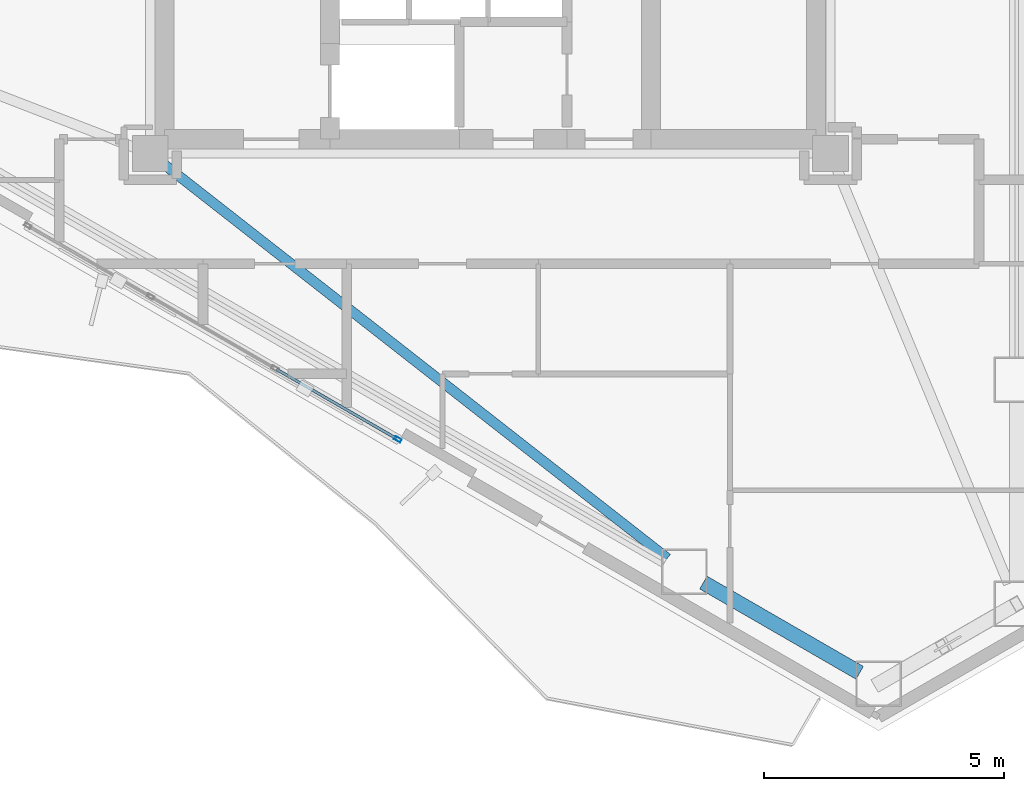
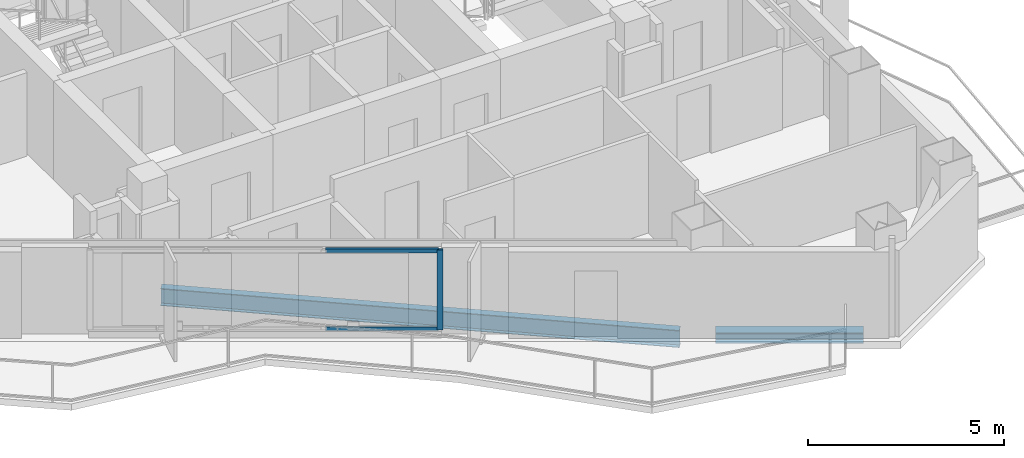
# One storey, part 4 of 21: 3 members, 2 beams, 1 element without a shape of its own.
"""IFC4 building model written with IfcOpenShell, lengths in metres."""

from ifc_helpers import new_model, si_unit, direction, frame, origin, origin_2d, place, context, subcontext, project, spatial, hollow_rectangle, i_section, extrude, material, layer, layer_set, material_profile, profile_set, type_object, element, aggregate, save


model = new_model("IFC4")

# Units and contexts
model_context = context("Model", 3, precision=1e-05, world=origin(), true_north=direction((0.0, 1.0)))
body_context = subcontext(model_context, "Body", "Model", "MODEL_VIEW")
ifc_project = project(units=[si_unit("LENGTHUNIT", "METRE"), si_unit("AREAUNIT", "SQUARE_METRE"), si_unit("VOLUMEUNIT", "CUBIC_METRE"), si_unit("PLANEANGLEUNIT", "RADIAN"), si_unit("MASSUNIT", "GRAM", prefix="KILO")], contexts=[model_context])

# Site, building, storey
site_placement = place(None, origin())
site = spatial("IfcSite", under=ifc_project, at=site_placement, CompositionType="ELEMENT")
building_placement = place(site_placement, origin())
building = spatial("IfcBuilding", under=site, at=building_placement, Name="Mersakhor Tower and Convention Hall", CompositionType="ELEMENT")
storey_placement = place(building_placement, frame((0.0, 0.0, 182.10009765625)))
storey = spatial("IfcBuildingStorey", under=building, at=storey_placement, Name="L50", CompositionType="ELEMENT", Elevation=182.10009765625)

# Beams
ifc_material_1 = material(Name="Steel S355", Category="steel")
ifc_material_profile_1 = material_profile(ifc_material_1, i_section(OverallWidth=0.2099609375, OverallDepth=0.53662109375, WebThickness=0.0107421875, FlangeThickness=0.017333984375, at=origin_2d()), Name="UB 533x210x101")
ifc_profile_set_1 = profile_set([ifc_material_profile_1], Name="Steel S355")
beam_type_1 = type_object("IfcBeamType", Name="BM-FB-533", PredefinedType="BEAM", material=ifc_profile_set_1)
beam_1_placement = place(storey_placement, frame((22.1796875, 20.231201171875, -0.498291015625), z_axis=(0.787496511663, -0.616319109, 0.0), x_axis=(0.616319109, 0.787496511663, 0.0)))
element("IfcBeam", 1, at=beam_1_placement, inside=storey, type_object=beam_type_1, Name="L50 Primary Floor Girder FG-5", PredefinedType="BEAM", context=body_context, shape_type="SweptSolid", body=[
    extrude(i_section(OverallWidth=0.2099609375, OverallDepth=0.53662109375, WebThickness=0.0107421875, FlangeThickness=0.017333984375, at=origin_2d()), origin(), (0.0, 0.0, 1.0), 13.35107421875),
])
ifc_material_2 = material(Name="Steel S355", Category="steel")
ifc_material_profile_2 = material_profile(ifc_material_2, i_section(OverallWidth=0.30908203125, OverallDepth=0.320556640625, WebThickness=0.013916015625, FlangeThickness=0.021728515625, at=origin_2d()), Name="UC 305x305x137")
ifc_profile_set_2 = profile_set([ifc_material_profile_2], Name="Steel S355")
beam_type_2 = type_object("IfcBeamType", Name="BM-SPD-UC305", PredefinedType="SPANDREL", material=ifc_profile_set_2)
beam_2_placement = place(storey_placement, frame((36.710205078125, 9.6103515625, -0.390380859375), z_axis=(-0.866046450459, 0.499963544319, 0.0), x_axis=(-0.499963544319, -0.866046450459, 0.0)))
element("IfcBeam", 2, at=beam_2_placement, inside=storey, type_object=beam_type_2, Name="L50 Perimeter Spandrel Beam SPB-09", PredefinedType="SPANDREL", context=body_context, shape_type="SweptSolid", body=[
    extrude(i_section(OverallWidth=0.30908203125, OverallDepth=0.320556640625, WebThickness=0.013916015625, FlangeThickness=0.021728515625, at=origin_2d()), origin(), (0.0, 0.0, 1.0), 3.769287109375),
])

# Curtain wall, members
ifc_material_3 = material(Name="Dark solar low-E aluminium curtain wall", Category="aluminium")
ifc_layer = layer(ifc_material_3, 0.169921875)
ifc_layer_set = layer_set([ifc_layer], Name="Dark solar low-E aluminium curtain wall")
curtain_wall_type = type_object("IfcCurtainWallType", Name="CW-SYS-02", PredefinedType="USERDEFINED", material=ifc_layer_set)
curtain_wall_placement = place(storey_placement, origin())
curtain_wall = element("IfcCurtainWall", 3, at=curtain_wall_placement, inside=storey, type_object=curtain_wall_type, Name="L50 Dark-Glass Curtain Wall F3-B2", ObjectType="CURTAIN WALL", PredefinedType="USERDEFINED")
ifc_material_4 = material(Name="Anodised aluminium EN AW-6063 T6", Category="aluminium")
ifc_material_profile_3 = material_profile(ifc_material_4, hollow_rectangle(XDim=0.074951171875, YDim=0.14990234375, WallThickness=0.00634765625, at=origin_2d()), Name="RHS 150x75x6.3")
ifc_profile_set_3 = profile_set([ifc_material_profile_3], Name="Anodised aluminium EN AW-6063 T6")
member_type_1 = type_object("IfcMemberType", Name="CWM-150x75", PredefinedType="MULLION", material=ifc_profile_set_3)
member_1_placement = place(storey_placement, frame((27.06982421875, 14.483154296875, 0.199951171875), z_axis=(0.0, 0.0, 1.0), x_axis=(-0.500007824483, -0.86602088627, 0.0)))
member_1 = element("IfcMember", 4, at=member_1_placement, type_object=member_type_1, Name="CW-02 mullion 1", PredefinedType="MULLION", context=body_context, shape_type="SweptSolid", body=[
    extrude(hollow_rectangle(XDim=0.074951171875, YDim=0.14990234375, WallThickness=0.00634765625, at=origin_2d()), origin(), (0.0, 0.0, 1.0), 2.489990234375),
])
ifc_material_5 = material(Name="Anodised aluminium EN AW-6063 T6", Category="aluminium")
ifc_material_profile_4 = material_profile(ifc_material_5, hollow_rectangle(XDim=0.06005859375, YDim=0.1201171875, WallThickness=0.0048828125, at=origin_2d()), Name="RHS 120x60x5")
ifc_profile_set_4 = profile_set([ifc_material_profile_4], Name="Anodised aluminium EN AW-6063 T6")
member_type_2 = type_object("IfcMemberType", Name="CWT-120x60", PredefinedType="USERDEFINED", material=ifc_profile_set_4)
member_2_placement = place(storey_placement, frame((27.037353515625, 14.501953125, 0.22998046875), z_axis=(-0.86601237176, 0.50002257145, 0.0), x_axis=(-0.50002257145, -0.86601237176, 0.0)))
member_2 = element("IfcMember", 5, at=member_2_placement, type_object=member_type_2, Name="CW-02 transom 1.1", ObjectType="TRANSOM", PredefinedType="USERDEFINED", context=body_context, shape_type="SweptSolid", body=[
    extrude(hollow_rectangle(XDim=0.06005859375, YDim=0.1201171875, WallThickness=0.0048828125, at=origin_2d()), origin(), (0.0, 0.0, 1.0), 2.886962890625),
])
member_3_placement = place(storey_placement, frame((27.037353515625, 14.501953125, 2.659912109375), z_axis=(-0.86601237176, 0.50002257145, 0.0), x_axis=(-0.50002257145, -0.86601237176, 0.0)))
member_3 = element("IfcMember", 6, at=member_3_placement, type_object=member_type_2, Name="CW-02 transom 1.2", ObjectType="TRANSOM", PredefinedType="USERDEFINED", context=body_context, shape_type="SweptSolid", body=[
    extrude(hollow_rectangle(XDim=0.06005859375, YDim=0.1201171875, WallThickness=0.0048828125, at=origin_2d()), origin(), (0.0, 0.0, 1.0), 2.886962890625),
])
aggregate(curtain_wall, [member_1, member_2, member_3])

save(model, "model.ifc")
